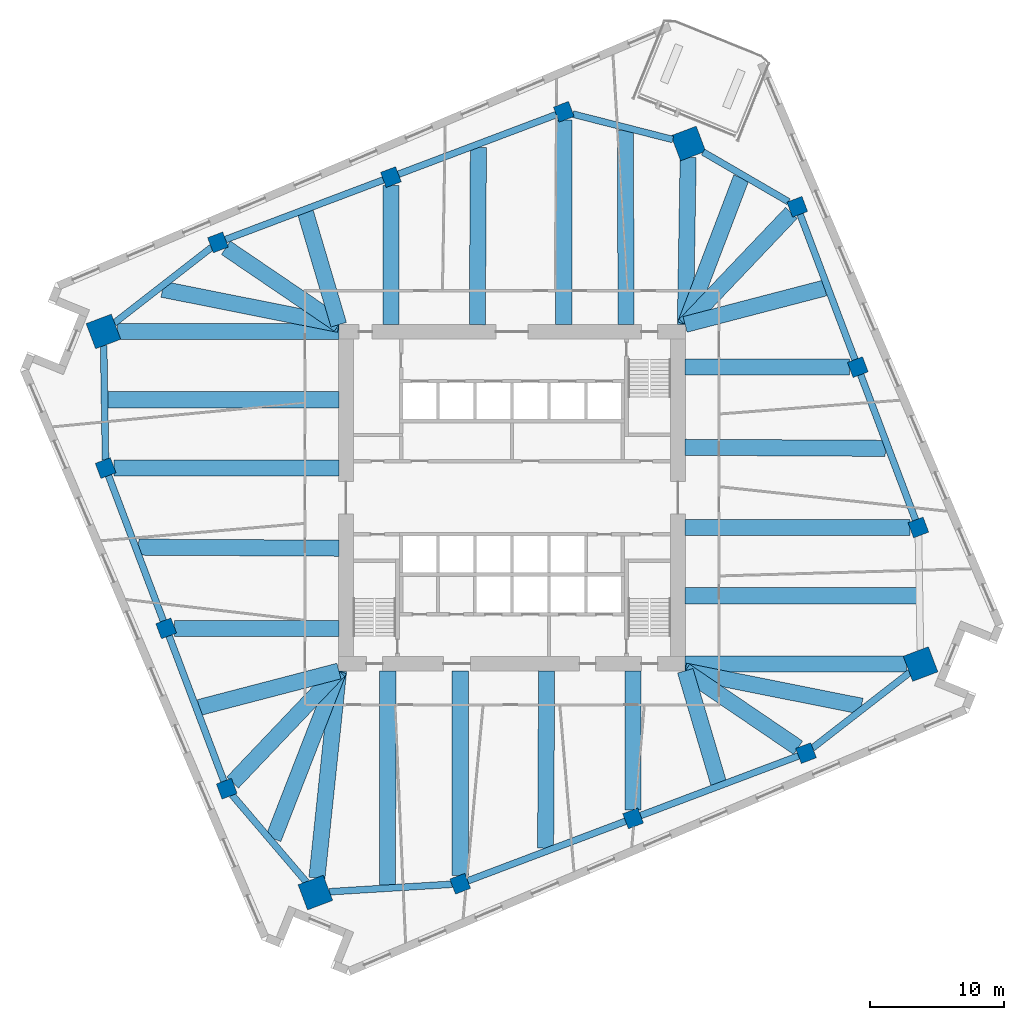
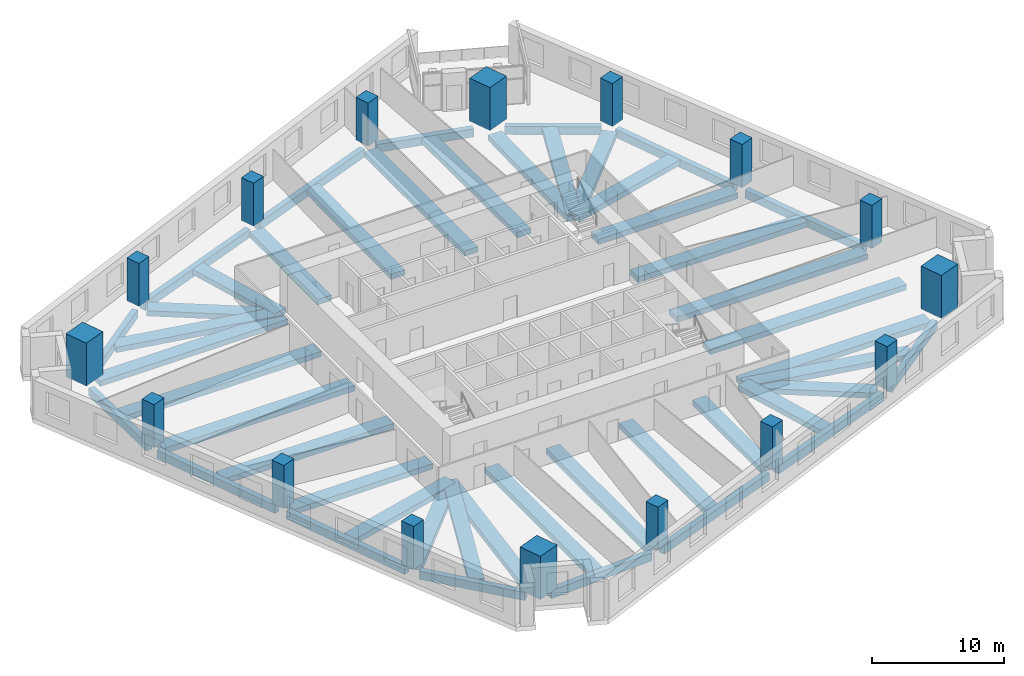
# One storey, part 1 of 12: 47 beams, 16 columns.
"""IFC4 building model written with IfcOpenShell, lengths in metres."""

from ifc_helpers import new_model, si_unit, direction, frame, origin, origin_2d, place, context, subcontext, project, spatial, rectangle, extrude, material, material_profile, profile_set, type_object, element, save


model = new_model("IFC4")

# Units and contexts
model_context = context("Model", 3, precision=1e-05, world=origin(), true_north=direction((0.0, 1.0)))
body_context = subcontext(model_context, "Body", "Model", "MODEL_VIEW")
ifc_project = project(units=[si_unit("LENGTHUNIT", "METRE"), si_unit("AREAUNIT", "SQUARE_METRE"), si_unit("VOLUMEUNIT", "CUBIC_METRE"), si_unit("PLANEANGLEUNIT", "RADIAN"), si_unit("MASSUNIT", "GRAM", prefix="KILO")], contexts=[model_context])

# Site, building, storey
site_placement = place(None, origin())
site = spatial("IfcSite", under=ifc_project, at=site_placement, CompositionType="ELEMENT")
building_placement = place(site_placement, origin())
building = spatial("IfcBuilding", under=site, at=building_placement, Name="Dilmun Exchange Tower", CompositionType="ELEMENT")
storey_placement = place(building_placement, frame((0.0, 0.0, 118.10009765625)))
storey = spatial("IfcBuildingStorey", under=building, at=storey_placement, Name="L27", CompositionType="ELEMENT", Elevation=118.10009765625)

# Columns
ifc_material_1 = material(Name="Concrete C70/85", Category="concrete")
ifc_material_profile_1 = material_profile(ifc_material_1, rectangle(XDim=2.0, YDim=2.0, at=origin_2d()), Name="2000 x 2000")
ifc_profile_set_1 = profile_set([ifc_material_profile_1], Name="Concrete C70/85")
column_type_1 = type_object("IfcColumnType", Name="RC mega column 2000 x 2000 C70/85", PredefinedType="COLUMN", material=ifc_profile_set_1)
for number, where, z_axis, x_axis, name in (
    (1, (13.1220703125, 26.35400390625, 0.0), (0.0, 0.0, 1.0), (0.935491525991, 0.353349125935, 0.0), "Mega column M1"),
    (2, (-30.39404296875, 12.37109375, 0.0), (0.0, 0.0, 1.0), (0.935491525991, 0.353349125935, 0.0), "Mega column M2"),
    (3, (-14.6259765625, -29.3759765625, 0.0), (0.0, 0.0, 1.0), (0.935491525991, 0.353349125935, 0.0), "Mega column M3"),
    (4, (30.39404296875, -12.37109375, 0.0), (0.0, 0.0, 1.0), (0.935491525991, 0.353349125935, 0.0), "Mega column M4"),
):
    element("IfcColumn", number, at=place(storey_placement, frame(where, z_axis=z_axis, x_axis=x_axis)), inside=storey, type_object=column_type_1, Name=name, PredefinedType="COLUMN", context=body_context, shape_type="SweptSolid", body=[
        extrude(rectangle(XDim=2.0, YDim=2.0, at=origin_2d()), origin(), (0.0, 0.0, 1.0), 4.0),
    ])
ifc_material_profile_2 = material_profile(ifc_material_1, rectangle(XDim=1.199951171875, YDim=1.199951171875, at=origin_2d()), Name="1200 x 1200")
ifc_profile_set_2 = profile_set([ifc_material_profile_2], Name="Concrete C70/85")
column_type_2 = type_object("IfcColumnType", Name="RC ring column 1200 x 1200 C70/85", PredefinedType="COLUMN", material=ifc_profile_set_2)
for number, where, z_axis, x_axis, name in (
    (5, (3.85302734375, 28.714111328125, 0.0), (0.0, 0.0, 1.0), (0.935491525991, 0.353349125935, 0.0), "Ring column R01"),
    (6, (-9.010009765625, 23.85498046875, 0.0), (0.0, 0.0, 1.0), (0.935491525991, 0.353349125935, 0.0), "Ring column R02"),
    (7, (-21.873046875, 18.99609375, 0.0), (0.0, 0.0, 1.0), (0.935491525991, 0.353349125935, 0.0), "Ring column R03"),
    (8, (-30.23095703125, 2.2099609375, 0.0), (0.0, 0.0, 1.0), (0.935491525991, 0.353349125935, 0.0), "Ring column R04"),
    (9, (-25.72607421875, -9.717041015625, 0.0), (0.0, 0.0, 1.0), (0.935491525991, 0.353349125935, 0.0), "Ring column R05"),
    (10, (-21.220947265625, -21.64501953125, 0.0), (0.0, 0.0, 1.0), (0.935491525991, 0.353349125935, 0.0), "Ring column R06"),
    (11, (-3.85302734375, -28.714111328125, 0.0), (0.0, 0.0, 1.0), (0.935491525991, 0.353349125935, 0.0), "Ring column R07"),
    (12, (9.010009765625, -23.85498046875, 0.0), (0.0, 0.0, 1.0), (0.935491525991, 0.353349125935, 0.0), "Ring column R08"),
    (13, (21.873046875, -18.99609375, 0.0), (0.0, 0.0, 1.0), (0.935491525991, 0.353349125935, 0.0), "Ring column R09"),
    (14, (30.23095703125, -2.2099609375, 0.0), (0.0, 0.0, 1.0), (0.935491525991, 0.353349125935, 0.0), "Ring column R10"),
    (15, (25.72607421875, 9.717041015625, 0.0), (0.0, 0.0, 1.0), (0.935491525991, 0.353349125935, 0.0), "Ring column R11"),
    (16, (21.220947265625, 21.64501953125, 0.0), (0.0, 0.0, 1.0), (0.935491525991, 0.353349125935, 0.0), "Ring column R12"),
):
    element("IfcColumn", number, at=place(storey_placement, frame(where, z_axis=z_axis, x_axis=x_axis)), inside=storey, type_object=column_type_2, Name=name, PredefinedType="COLUMN", context=body_context, shape_type="SweptSolid", body=[
        extrude(rectangle(XDim=1.199951171875, YDim=1.199951171875, at=origin_2d()), origin(), (0.0, 0.0, 1.0), 4.0),
    ])

# Beams
ifc_material_2 = material(Name="Concrete C40/50", Category="concrete")
ifc_material_profile_3 = material_profile(ifc_material_2, rectangle(XDim=1.199951171875, YDim=0.5, at=origin_2d()), Name="1200 x 500")
ifc_profile_set_3 = profile_set([ifc_material_profile_3], Name="Concrete C40/50")
beam_type_1 = type_object("IfcBeamType", Name="RC band beam 1200 x 500 C40/50", PredefinedType="BEAM", material=ifc_profile_set_3)
beam_1_placement = place(storey_placement, frame((13.104736328125, 25.305419921875, -0.77001953125), z_axis=(-0.016493249431, -0.99986397711, 0.0), x_axis=(0.99986397711, -0.016493249431, 0.0)))
element("IfcBeam", 17, at=beam_1_placement, inside=storey, type_object=beam_type_1, Name="Band beam 1", PredefinedType="BEAM", context=body_context, shape_type="SweptSolid", body=[
    extrude(rectangle(XDim=1.199951171875, YDim=0.5, at=origin_2d()), origin(), (0.0, 0.0, 1.0), 12.43408203125),
])
beam_2_placement = place(storey_placement, frame((3.85302734375, 28.099609375, -0.77001953125), z_axis=(0.0, -1.0, 0.0), x_axis=(1.0, 0.0, 0.0)))
element("IfcBeam", 18, at=beam_2_placement, inside=storey, type_object=beam_type_1, Name="Band beam 2", PredefinedType="BEAM", context=body_context, shape_type="SweptSolid", body=[
    extrude(rectangle(XDim=1.199951171875, YDim=0.5, at=origin_2d()), origin(), (0.0, 0.0, 1.0), 15.2265625),
])
beam_3_placement = place(storey_placement, frame((-9.010009765625, 23.240478515625, -0.77001953125), z_axis=(0.0, -1.0, 0.0), x_axis=(1.0, 0.0, 0.0)))
element("IfcBeam", 19, at=beam_3_placement, inside=storey, type_object=beam_type_1, Name="Band beam 3", PredefinedType="BEAM", context=body_context, shape_type="SweptSolid", body=[
    extrude(rectangle(XDim=1.199951171875, YDim=0.5, at=origin_2d()), origin(), (0.0, 0.0, 1.0), 10.367431640625),
])
beam_4_placement = place(storey_placement, frame((-21.28857421875, 18.59912109375, -0.77001953125), z_axis=(0.827157308771, -0.561970449888, 0.0), x_axis=(0.561970449888, 0.827157308771, 0.0)))
element("IfcBeam", 20, at=beam_4_placement, inside=storey, type_object=beam_type_1, Name="Band beam 4", PredefinedType="BEAM", context=body_context, shape_type="SweptSolid", body=[
    extrude(rectangle(XDim=1.199951171875, YDim=0.5, at=origin_2d()), origin(), (0.0, 0.0, 1.0), 10.16845703125),
])
beam_5_placement = place(storey_placement, frame((-29.35205078125, 12.37109375, -0.77001953125), z_axis=(1.0, 0.0, 0.0), x_axis=(0.0, 1.0, 0.0)))
element("IfcBeam", 21, at=beam_5_placement, inside=storey, type_object=beam_type_1, Name="Band beam 5", PredefinedType="BEAM", context=body_context, shape_type="SweptSolid", body=[
    extrude(rectangle(XDim=1.199951171875, YDim=0.5, at=origin_2d()), origin(), (0.0, 0.0, 1.0), 16.47900390625),
])
beam_6_placement = place(storey_placement, frame((-29.61669921875, 2.2099609375, -0.77001953125), z_axis=(1.0, 0.0, 0.0), x_axis=(0.0, 1.0, 0.0)))
element("IfcBeam", 22, at=beam_6_placement, inside=storey, type_object=beam_type_1, Name="Band beam 6", PredefinedType="BEAM", context=body_context, shape_type="SweptSolid", body=[
    extrude(rectangle(XDim=1.199951171875, YDim=0.5, at=origin_2d()), origin(), (0.0, 0.0, 1.0), 16.74365234375),
])
beam_7_placement = place(storey_placement, frame((-25.111572265625, -9.717041015625, -0.77001953125), z_axis=(1.0, 0.0, 0.0), x_axis=(0.0, 1.0, 0.0)))
element("IfcBeam", 23, at=beam_7_placement, inside=storey, type_object=beam_type_1, Name="Band beam 7", PredefinedType="BEAM", context=body_context, shape_type="SweptSolid", body=[
    extrude(rectangle(XDim=1.199951171875, YDim=0.5, at=origin_2d()), origin(), (0.0, 0.0, 1.0), 12.238525390625),
])
beam_8_placement = place(storey_placement, frame((-20.780517578125, -21.181884765625, -0.77001953125), z_axis=(0.689333244672, 0.724444392476, 0.0), x_axis=(-0.724444392476, 0.689333244672, 0.0)))
element("IfcBeam", 24, at=beam_8_placement, inside=storey, type_object=beam_type_1, Name="Band beam 8", PredefinedType="BEAM", context=body_context, shape_type="SweptSolid", body=[
    extrude(rectangle(XDim=1.199951171875, YDim=0.5, at=origin_2d()), origin(), (0.0, 0.0, 1.0), 11.459228515625),
])
beam_9_placement = place(storey_placement, frame((-14.51220703125, -28.289794921875, -0.77001953125), z_axis=(0.104185478447, 0.994557884731, 0.0), x_axis=(-0.994557884731, 0.104185478447, 0.0)))
element("IfcBeam", 25, at=beam_9_placement, inside=storey, type_object=beam_type_1, Name="Band beam 9", PredefinedType="BEAM", context=body_context, shape_type="SweptSolid", body=[
    extrude(rectangle(XDim=1.199951171875, YDim=0.5, at=origin_2d()), origin(), (0.0, 0.0, 1.0), 15.501220703125),
])
beam_10_placement = place(storey_placement, frame((-3.85302734375, -28.099609375, -0.77001953125), z_axis=(0.0, 1.0, 0.0), x_axis=(-1.0, 0.0, 0.0)))
element("IfcBeam", 26, at=beam_10_placement, inside=storey, type_object=beam_type_1, Name="Band beam 10", PredefinedType="BEAM", context=body_context, shape_type="SweptSolid", body=[
    extrude(rectangle(XDim=1.199951171875, YDim=0.5, at=origin_2d()), origin(), (0.0, 0.0, 1.0), 15.2265625),
])
beam_11_placement = place(storey_placement, frame((9.010009765625, -23.240478515625, -0.77001953125), z_axis=(0.0, 1.0, 0.0), x_axis=(-1.0, 0.0, 0.0)))
element("IfcBeam", 27, at=beam_11_placement, inside=storey, type_object=beam_type_1, Name="Band beam 11", PredefinedType="BEAM", context=body_context, shape_type="SweptSolid", body=[
    extrude(rectangle(XDim=1.199951171875, YDim=0.5, at=origin_2d()), origin(), (0.0, 0.0, 1.0), 10.367431640625),
])
beam_12_placement = place(storey_placement, frame((21.28857421875, -18.59912109375, -0.77001953125), z_axis=(-0.827157308771, 0.561970449888, 0.0), x_axis=(-0.561970449888, -0.827157308771, 0.0)))
element("IfcBeam", 28, at=beam_12_placement, inside=storey, type_object=beam_type_1, Name="Band beam 12", PredefinedType="BEAM", context=body_context, shape_type="SweptSolid", body=[
    extrude(rectangle(XDim=1.199951171875, YDim=0.5, at=origin_2d()), origin(), (0.0, 0.0, 1.0), 10.16845703125),
])
beam_13_placement = place(storey_placement, frame((29.35205078125, -12.37109375, -0.77001953125), z_axis=(-1.0, 0.0, 0.0), x_axis=(0.0, -1.0, 0.0)))
element("IfcBeam", 29, at=beam_13_placement, inside=storey, type_object=beam_type_1, Name="Band beam 13", PredefinedType="BEAM", context=body_context, shape_type="SweptSolid", body=[
    extrude(rectangle(XDim=1.199951171875, YDim=0.5, at=origin_2d()), origin(), (0.0, 0.0, 1.0), 16.47900390625),
])
beam_14_placement = place(storey_placement, frame((29.61669921875, -2.2099609375, -0.77001953125), z_axis=(-1.0, 0.0, 0.0), x_axis=(0.0, -1.0, 0.0)))
element("IfcBeam", 30, at=beam_14_placement, inside=storey, type_object=beam_type_1, Name="Band beam 14", PredefinedType="BEAM", context=body_context, shape_type="SweptSolid", body=[
    extrude(rectangle(XDim=1.199951171875, YDim=0.5, at=origin_2d()), origin(), (0.0, 0.0, 1.0), 16.74365234375),
])
beam_15_placement = place(storey_placement, frame((25.111572265625, 9.717041015625, -0.77001953125), z_axis=(-1.0, 0.0, 0.0), x_axis=(0.0, -1.0, 0.0)))
element("IfcBeam", 31, at=beam_15_placement, inside=storey, type_object=beam_type_1, Name="Band beam 15", PredefinedType="BEAM", context=body_context, shape_type="SweptSolid", body=[
    extrude(rectangle(XDim=1.199951171875, YDim=0.5, at=origin_2d()), origin(), (0.0, 0.0, 1.0), 12.238525390625),
])
beam_16_placement = place(storey_placement, frame((20.780517578125, 21.181884765625, -0.77001953125), z_axis=(-0.689333244672, -0.724444392476, 0.0), x_axis=(0.724444392476, -0.689333244672, 0.0)))
element("IfcBeam", 32, at=beam_16_placement, inside=storey, type_object=beam_type_1, Name="Band beam 16", PredefinedType="BEAM", context=body_context, shape_type="SweptSolid", body=[
    extrude(rectangle(XDim=1.199951171875, YDim=0.5, at=origin_2d()), origin(), (0.0, 0.0, 1.0), 11.459228515625),
])
beam_17_placement = place(storey_placement, frame((8.4326171875, 27.31787109375, -0.670166015625), z_axis=(0.003802832253, -0.999992769207, 0.0), x_axis=(0.999992769207, 0.003802832253, 0.0)))
element("IfcBeam", 33, at=beam_17_placement, inside=storey, type_object=beam_type_1, Name="Band beam 17", PredefinedType="BEAM", context=body_context, shape_type="SweptSolid", body=[
    extrude(rectangle(XDim=1.199951171875, YDim=0.5, at=origin_2d()), origin(), (0.0, 0.0, 1.0), 14.44482421875),
])
beam_18_placement = place(storey_placement, frame((-2.499755859375, 26.075927734375, -0.670166015625), z_axis=(-0.005972637047, -0.999982163644, 0.0), x_axis=(0.999982163644, -0.005972637047, 0.0)))
element("IfcBeam", 34, at=beam_18_placement, inside=storey, type_object=beam_type_1, Name="Band beam 18", PredefinedType="BEAM", context=body_context, shape_type="SweptSolid", body=[
    extrude(rectangle(XDim=1.199951171875, YDim=0.5, at=origin_2d()), origin(), (0.0, 0.0, 1.0), 13.203125),
])
beam_19_placement = place(storey_placement, frame((-15.36279296875, 21.216796875, -0.670166015625), z_axis=(0.283932601838, -0.958844240538, 0.0), x_axis=(0.958844240538, 0.283932601838, 0.0)))
element("IfcBeam", 35, at=beam_19_placement, inside=storey, type_object=beam_type_1, Name="Band beam 19", PredefinedType="BEAM", context=body_context, shape_type="SweptSolid", body=[
    extrude(rectangle(XDim=1.199951171875, YDim=0.5, at=origin_2d()), origin(), (0.0, 0.0, 1.0), 8.700927734375),
])
beam_20_placement = place(storey_placement, frame((-25.99658203125, 15.50732421875, -0.670166015625), z_axis=(0.980746640289, -0.19528447855, 0.0), x_axis=(0.19528447855, 0.980746640289, 0.0)))
element("IfcBeam", 36, at=beam_20_placement, inside=storey, type_object=beam_type_1, Name="Band beam 20", PredefinedType="BEAM", context=body_context, shape_type="SweptSolid", body=[
    extrude(rectangle(XDim=1.199951171875, YDim=0.5, at=origin_2d()), origin(), (0.0, 0.0, 1.0), 13.380615234375),
])
beam_21_placement = place(storey_placement, frame((-30.089599609375, 7.294189453125, -0.670166015625), z_axis=(0.999999977378, -0.000212708627, 0.0), x_axis=(0.000212708627, 0.999999977378, 0.0)))
element("IfcBeam", 37, at=beam_21_placement, inside=storey, type_object=beam_type_1, Name="Band beam 21", PredefinedType="BEAM", context=body_context, shape_type="SweptSolid", body=[
    extrude(rectangle(XDim=1.199951171875, YDim=0.5, at=origin_2d()), origin(), (0.0, 0.0, 1.0), 17.216552734375),
])
beam_22_placement = place(storey_placement, frame((-27.77001953125, -3.6748046875, -0.670166015625), z_axis=(0.999986076233, -0.005277057861, 0.0), x_axis=(0.005277057861, 0.999986076233, 0.0)))
element("IfcBeam", 38, at=beam_22_placement, inside=storey, type_object=beam_type_1, Name="Band beam 22", PredefinedType="BEAM", context=body_context, shape_type="SweptSolid", body=[
    extrude(rectangle(XDim=1.199951171875, YDim=0.5, at=origin_2d()), origin(), (0.0, 0.0, 1.0), 14.897216796875),
])
beam_23_placement = place(storey_placement, frame((-23.264892578125, -15.602294921875, -0.670166015625), z_axis=(0.967651305888, 0.252291399404, 0.0), x_axis=(-0.252291399404, 0.967651305888, 0.0)))
element("IfcBeam", 39, at=beam_23_placement, inside=storey, type_object=beam_type_1, Name="Band beam 23", PredefinedType="BEAM", context=body_context, shape_type="SweptSolid", body=[
    extrude(rectangle(XDim=1.199951171875, YDim=0.5, at=origin_2d()), origin(), (0.0, 0.0, 1.0), 10.738525390625),
])
beam_24_placement = place(storey_placement, frame((-17.75390625, -25.36572265625, -0.670166015625), z_axis=(0.362868113779, 0.931840507814, 0.0), x_axis=(-0.931840507814, 0.362868113779, 0.0)))
element("IfcBeam", 40, at=beam_24_placement, inside=storey, type_object=beam_type_1, Name="Band beam 24", PredefinedType="BEAM", context=body_context, shape_type="SweptSolid", body=[
    extrude(rectangle(XDim=1.199951171875, YDim=0.5, at=origin_2d()), origin(), (0.0, 0.0, 1.0), 13.404296875),
])
beam_25_placement = place(storey_placement, frame((-9.253173828125, -28.822509765625, -0.670166015625), z_axis=(0.000857199397, 0.999999632605, 0.0), x_axis=(-0.999999632605, 0.000857199397, 0.0)))
element("IfcBeam", 41, at=beam_25_placement, inside=storey, type_object=beam_type_1, Name="Band beam 25", PredefinedType="BEAM", context=body_context, shape_type="SweptSolid", body=[
    extrude(rectangle(XDim=1.199951171875, YDim=0.5, at=origin_2d()), origin(), (0.0, 0.0, 1.0), 15.949462890625),
])
beam_26_placement = place(storey_placement, frame((2.499755859375, -26.075927734375, -0.670166015625), z_axis=(0.005972637047, 0.999982163644, 0.0), x_axis=(-0.999982163644, 0.005972637047, 0.0)))
element("IfcBeam", 42, at=beam_26_placement, inside=storey, type_object=beam_type_1, Name="Band beam 26", PredefinedType="BEAM", context=body_context, shape_type="SweptSolid", body=[
    extrude(rectangle(XDim=1.199951171875, YDim=0.5, at=origin_2d()), origin(), (0.0, 0.0, 1.0), 13.203125),
])
beam_27_placement = place(storey_placement, frame((15.36279296875, -21.216796875, -0.670166015625), z_axis=(-0.283932601838, 0.958844240538, 0.0), x_axis=(-0.958844240538, -0.283932601838, 0.0)))
element("IfcBeam", 43, at=beam_27_placement, inside=storey, type_object=beam_type_1, Name="Band beam 27", PredefinedType="BEAM", context=body_context, shape_type="SweptSolid", body=[
    extrude(rectangle(XDim=1.199951171875, YDim=0.5, at=origin_2d()), origin(), (0.0, 0.0, 1.0), 8.700927734375),
])
beam_28_placement = place(storey_placement, frame((25.99658203125, -15.50732421875, -0.670166015625), z_axis=(-0.980746640289, 0.19528447855, 0.0), x_axis=(-0.19528447855, -0.980746640289, 0.0)))
element("IfcBeam", 44, at=beam_28_placement, inside=storey, type_object=beam_type_1, Name="Band beam 28", PredefinedType="BEAM", context=body_context, shape_type="SweptSolid", body=[
    extrude(rectangle(XDim=1.199951171875, YDim=0.5, at=origin_2d()), origin(), (0.0, 0.0, 1.0), 13.380615234375),
])
beam_29_placement = place(storey_placement, frame((30.089599609375, -7.294189453125, -0.670166015625), z_axis=(-0.999999977378, 0.000212708627, 0.0), x_axis=(-0.000212708627, -0.999999977378, 0.0)))
element("IfcBeam", 45, at=beam_29_placement, inside=storey, type_object=beam_type_1, Name="Band beam 29", PredefinedType="BEAM", context=body_context, shape_type="SweptSolid", body=[
    extrude(rectangle(XDim=1.199951171875, YDim=0.5, at=origin_2d()), origin(), (0.0, 0.0, 1.0), 17.216552734375),
])
beam_30_placement = place(storey_placement, frame((27.77001953125, 3.6748046875, -0.670166015625), z_axis=(-0.999986076233, 0.005277057861, 0.0), x_axis=(-0.005277057861, -0.999986076233, 0.0)))
element("IfcBeam", 46, at=beam_30_placement, inside=storey, type_object=beam_type_1, Name="Band beam 30", PredefinedType="BEAM", context=body_context, shape_type="SweptSolid", body=[
    extrude(rectangle(XDim=1.199951171875, YDim=0.5, at=origin_2d()), origin(), (0.0, 0.0, 1.0), 14.897216796875),
])
beam_31_placement = place(storey_placement, frame((23.264892578125, 15.602294921875, -0.670166015625), z_axis=(-0.967651305888, -0.252291399404, 0.0), x_axis=(0.252291399404, -0.967651305888, 0.0)))
element("IfcBeam", 47, at=beam_31_placement, inside=storey, type_object=beam_type_1, Name="Band beam 31", PredefinedType="BEAM", context=body_context, shape_type="SweptSolid", body=[
    extrude(rectangle(XDim=1.199951171875, YDim=0.5, at=origin_2d()), origin(), (0.0, 0.0, 1.0), 10.738525390625),
])
beam_32_placement = place(storey_placement, frame((17.059326171875, 23.806640625, -0.670166015625), z_axis=(-0.356325045493, -0.934362061491, 0.0), x_axis=(0.934362061491, -0.356325045493, 0.0)))
element("IfcBeam", 48, at=beam_32_placement, inside=storey, type_object=beam_type_1, Name="Band beam 32", PredefinedType="BEAM", context=body_context, shape_type="SweptSolid", body=[
    extrude(rectangle(XDim=1.199951171875, YDim=0.5, at=origin_2d()), origin(), (0.0, 0.0, 1.0), 11.699951171875),
])
ifc_material_profile_4 = material_profile(ifc_material_2, rectangle(XDim=0.5, YDim=0.75, at=origin_2d()), Name="500 x 750")
ifc_profile_set_4 = profile_set([ifc_material_profile_4], Name="Concrete C40/50")
beam_type_2 = type_object("IfcBeamType", Name="RC ring beam 500 x 750 C40/50", PredefinedType="SPANDREL", material=ifc_profile_set_4)
beam_33_placement = place(storey_placement, frame((11.965576171875, 26.6484375, -0.795166015625), z_axis=(-0.969078622485, 0.246752149825, 0.0), x_axis=(-0.246752149825, -0.969078622485, 0.0)))
element("IfcBeam", 49, at=beam_33_placement, inside=storey, type_object=beam_type_2, Name="Ring beam 1", PredefinedType="SPANDREL", context=body_context, shape_type="SweptSolid", body=[
    extrude(rectangle(XDim=0.5, YDim=0.75, at=origin_2d()), origin(), (0.0, 0.0, 1.0), 7.666015625),
])
for number, where, z_axis, x_axis, name in (
    (50, (3.31689453125, 28.511474609375, -0.795166015625), (-0.935485896268, -0.353364030264, 0.0), (0.353364030264, -0.935485896268, 0.0), "Ring beam 2"),
    (51, (-9.5458984375, 23.652587890625, -0.795166015625), (-0.935479493126, -0.353380981294, 0.0), (0.353380981294, -0.935479493126, 0.0), "Ring beam 3"),
):
    element("IfcBeam", number, at=place(storey_placement, frame(where, z_axis=z_axis, x_axis=x_axis)), inside=storey, type_object=beam_type_2, Name=name, PredefinedType="SPANDREL", context=body_context, shape_type="SweptSolid", body=[
        extrude(rectangle(XDim=0.5, YDim=0.75, at=origin_2d()), origin(), (0.0, 0.0, 1.0), 12.604248046875),
    ])
beam_34_placement = place(storey_placement, frame((-22.347412109375, 18.627197265625, -0.795166015625), z_axis=(-0.789461122688, -0.613800566767, 0.0), x_axis=(0.613800566767, -0.789461122688, 0.0)))
element("IfcBeam", 52, at=beam_34_placement, inside=storey, type_object=beam_type_2, Name="Ring beam 4", PredefinedType="SPANDREL", context=body_context, shape_type="SweptSolid", body=[
    extrude(rectangle(XDim=0.5, YDim=0.75, at=origin_2d()), origin(), (0.0, 0.0, 1.0), 9.1728515625),
])
beam_35_placement = place(storey_placement, frame((-30.37744140625, 11.33544921875, -0.795166015625), z_axis=(0.016054357527, -0.999871120497, 0.0), x_axis=(0.999871120497, 0.016054357527, 0.0)))
element("IfcBeam", 53, at=beam_35_placement, inside=storey, type_object=beam_type_2, Name="Ring beam 5", PredefinedType="SPANDREL", context=body_context, shape_type="SweptSolid", body=[
    extrude(rectangle(XDim=0.5, YDim=0.75, at=origin_2d()), origin(), (0.0, 0.0, 1.0), 8.515869140625),
])
beam_36_placement = place(storey_placement, frame((-30.028564453125, 1.674072265625, -0.795166015625), z_axis=(0.353349831573, -0.935491259461, 0.0), x_axis=(0.935491259461, 0.353349831573, 0.0)))
element("IfcBeam", 54, at=beam_36_placement, inside=storey, type_object=beam_type_2, Name="Ring beam 6", PredefinedType="SPANDREL", context=body_context, shape_type="SweptSolid", body=[
    extrude(rectangle(XDim=0.5, YDim=0.75, at=origin_2d()), origin(), (0.0, 0.0, 1.0), 11.603515625),
])
beam_37_placement = place(storey_placement, frame((-25.5234375, -10.2529296875, -0.795166015625), z_axis=(0.353303601311, -0.935508720056, 0.0), x_axis=(0.935508720056, 0.353303601311, 0.0)))
element("IfcBeam", 55, at=beam_37_placement, inside=storey, type_object=beam_type_2, Name="Ring beam 7", PredefinedType="SPANDREL", context=body_context, shape_type="SweptSolid", body=[
    extrude(rectangle(XDim=0.5, YDim=0.75, at=origin_2d()), origin(), (0.0, 0.0, 1.0), 11.604248046875),
])
beam_38_placement = place(storey_placement, frame((-20.82470703125, -22.109619140625, -0.795166015625), z_axis=(0.64900225023, -0.76078648726, 0.0), x_axis=(0.76078648726, 0.64900225023, 0.0)))
element("IfcBeam", 56, at=beam_38_placement, inside=storey, type_object=beam_type_2, Name="Ring beam 8", PredefinedType="SPANDREL", context=body_context, shape_type="SweptSolid", body=[
    extrude(rectangle(XDim=0.5, YDim=0.75, at=origin_2d()), origin(), (0.0, 0.0, 1.0), 8.515625),
])
beam_39_placement = place(storey_placement, frame((-13.608154296875, -29.3134765625, -0.795166015625), z_axis=(0.998117890072, 0.061324363166, 0.0), x_axis=(-0.061324363166, 0.998117890072, 0.0)))
element("IfcBeam", 57, at=beam_39_placement, inside=storey, type_object=beam_type_2, Name="Ring beam 9", PredefinedType="SPANDREL", context=body_context, shape_type="SweptSolid", body=[
    extrude(rectangle(XDim=0.5, YDim=0.75, at=origin_2d()), origin(), (0.0, 0.0, 1.0), 9.172607421875),
])
for number, where, z_axis, x_axis, name in (
    (58, (-3.31689453125, -28.511474609375, -0.795166015625), (0.935485896268, 0.353364030264, 0.0), (-0.353364030264, 0.935485896268, 0.0), "Ring beam 10"),
    (59, (9.5458984375, -23.652587890625, -0.795166015625), (0.935479493126, 0.353380981294, 0.0), (-0.353380981294, 0.935479493126, 0.0), "Ring beam 11"),
):
    element("IfcBeam", number, at=place(storey_placement, frame(where, z_axis=z_axis, x_axis=x_axis)), inside=storey, type_object=beam_type_2, Name=name, PredefinedType="SPANDREL", context=body_context, shape_type="SweptSolid", body=[
        extrude(rectangle(XDim=0.5, YDim=0.75, at=origin_2d()), origin(), (0.0, 0.0, 1.0), 12.604248046875),
    ])
beam_40_placement = place(storey_placement, frame((22.347412109375, -18.627197265625, -0.795166015625), z_axis=(0.789461122688, 0.613800566767, 0.0), x_axis=(-0.613800566767, 0.789461122688, 0.0)))
element("IfcBeam", 60, at=beam_40_placement, inside=storey, type_object=beam_type_2, Name="Ring beam 12", PredefinedType="SPANDREL", context=body_context, shape_type="SweptSolid", body=[
    extrude(rectangle(XDim=0.5, YDim=0.75, at=origin_2d()), origin(), (0.0, 0.0, 1.0), 9.1728515625),
])
beam_41_placement = place(storey_placement, frame((30.028564453125, -1.674072265625, -0.795166015625), z_axis=(-0.353349831573, 0.935491259461, 0.0), x_axis=(-0.935491259461, -0.353349831573, 0.0)))
element("IfcBeam", 61, at=beam_41_placement, inside=storey, type_object=beam_type_2, Name="Ring beam 14", PredefinedType="SPANDREL", context=body_context, shape_type="SweptSolid", body=[
    extrude(rectangle(XDim=0.5, YDim=0.75, at=origin_2d()), origin(), (0.0, 0.0, 1.0), 11.603515625),
])
beam_42_placement = place(storey_placement, frame((25.5234375, 10.2529296875, -0.795166015625), z_axis=(-0.353303601311, 0.935508720056, 0.0), x_axis=(-0.935508720056, -0.353303601311, 0.0)))
element("IfcBeam", 62, at=beam_42_placement, inside=storey, type_object=beam_type_2, Name="Ring beam 15", PredefinedType="SPANDREL", context=body_context, shape_type="SweptSolid", body=[
    extrude(rectangle(XDim=0.5, YDim=0.75, at=origin_2d()), origin(), (0.0, 0.0, 1.0), 11.604248046875),
])
beam_43_placement = place(storey_placement, frame((20.57568359375, 22.020263671875, -0.795166015625), z_axis=(-0.864503499359, 0.50262679952, 0.0), x_axis=(-0.50262679952, -0.864503499359, 0.0)))
element("IfcBeam", 63, at=beam_43_placement, inside=storey, type_object=beam_type_2, Name="Ring beam 16", PredefinedType="SPANDREL", context=body_context, shape_type="SweptSolid", body=[
    extrude(rectangle(XDim=0.5, YDim=0.75, at=origin_2d()), origin(), (0.0, 0.0, 1.0), 7.35986328125),
])

save(model, "model.ifc")
